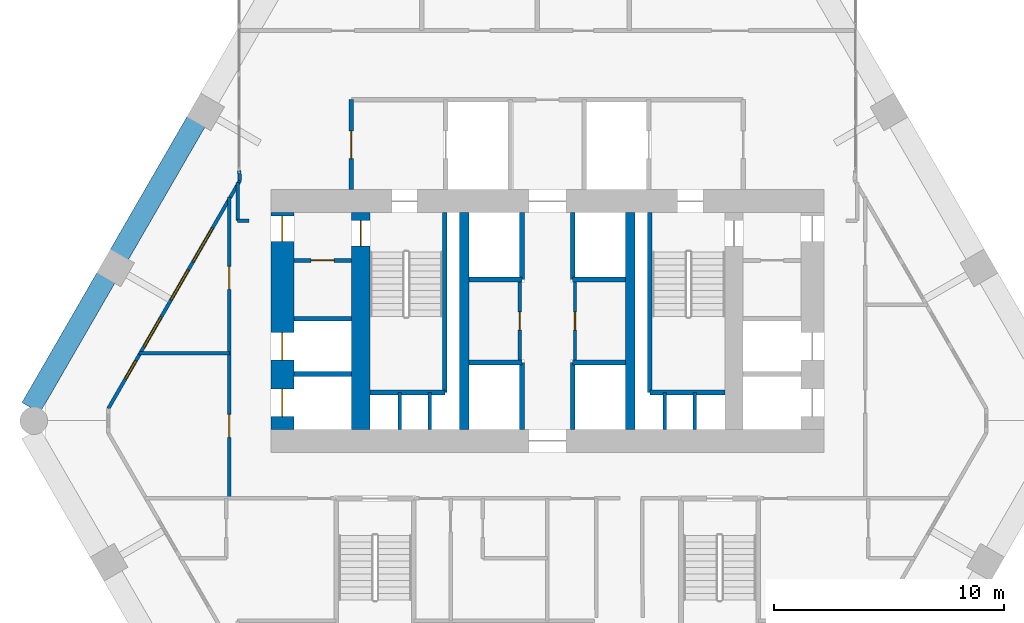
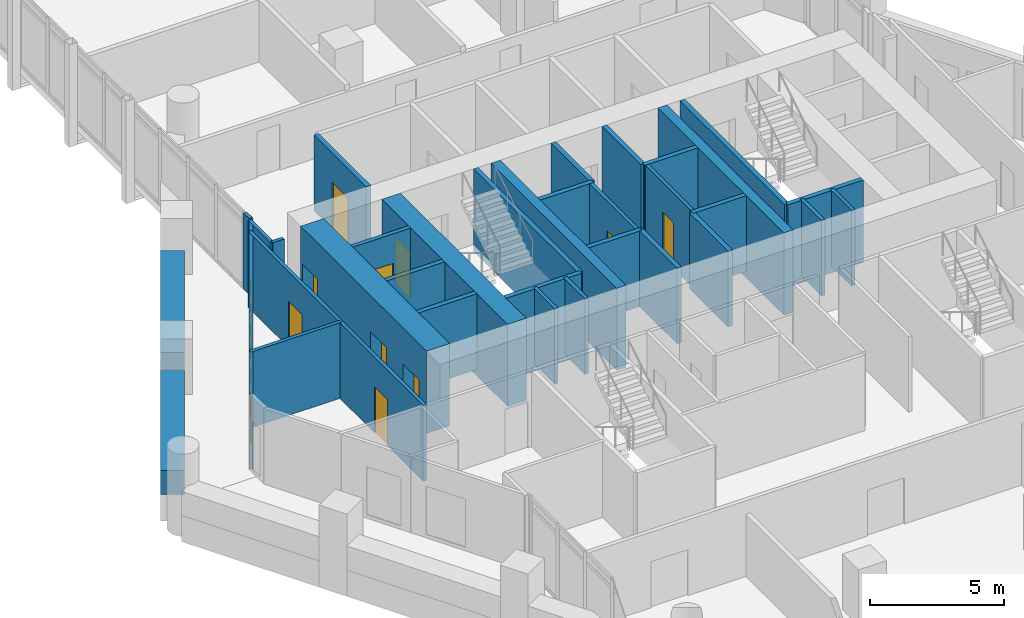
# One storey, part 25 of 28: 34 walls, 10 doors, 4 windows, 14 openings.
"""IFC4 building model written with IfcOpenShell, lengths in metres."""

from ifc_helpers import new_model, si_unit, direction, frame, frame_2d, origin, place, context, subcontext, project, spatial, rectangle, extrude, material, layer, layer_set, type_object, element, fill, save


model = new_model("IFC4")

# Units and contexts
model_context = context("Model", 3, precision=1e-05, world=origin(), true_north=direction((0.0, 1.0)))
body_context = subcontext(model_context, "Body", "Model", "MODEL_VIEW")
ifc_project = project(units=[si_unit("LENGTHUNIT", "METRE"), si_unit("AREAUNIT", "SQUARE_METRE"), si_unit("VOLUMEUNIT", "CUBIC_METRE"), si_unit("PLANEANGLEUNIT", "RADIAN"), si_unit("MASSUNIT", "GRAM", prefix="KILO")], contexts=[model_context])

# Site, building, storey
site_placement = place(None, origin())
site = spatial("IfcSite", under=ifc_project, at=site_placement, CompositionType="ELEMENT")
building_placement = place(site_placement, origin())
building = spatial("IfcBuilding", under=site, at=building_placement, Name="Ostrander Bayou Hotel Tower", CompositionType="ELEMENT")
storey_placement = place(building_placement, frame((0.0, 0.0, 104.25)))
storey = spatial("IfcBuildingStorey", under=building, at=storey_placement, Name="L26", CompositionType="ELEMENT", Elevation=104.25)

# Wall, openings, doors
ifc_material_1 = material(Name="Concrete f'c 70 MPa", Category="concrete")
ifc_layer_1 = layer(ifc_material_1, 1.0)
ifc_layer_set_1 = layer_set([ifc_layer_1], Name="CW4 core wall 1000 mm f'c 70 MPa")
wall_type_1 = type_object("IfcWallType", Name="CW4 core wall 1000 mm f'c 70 MPa", PredefinedType="SHEAR", material=ifc_layer_set_1)
wall_1_placement = place(storey_placement, frame((-11.5, -0.699951171875, -0.300048828125), z_axis=(0.0, 0.0, 1.0), x_axis=(0.0, 1.0, 0.0)))
wall_1 = element("IfcWall", 1, at=wall_1_placement, inside=storey, type_object=wall_type_1, Name="CW4 L26 RW", PredefinedType="SHEAR", context=body_context, shape_type="SweptSolid", body=[
    extrude(rectangle(XDim=9.39990234375, YDim=1.0, at=frame_2d((4.699951171875, 0.0))), origin(), (0.0, 0.0, 1.0), 3.75),
])
opening_1_placement = place(wall_1_placement, frame((8.14990234375, 0.0, 0.0)))
opening_1 = element("IfcOpeningElement", 2, at=opening_1_placement, cuts=wall_1, Name="Opening T25-017", PredefinedType="OPENING", context=body_context, shape_type="SweptSolid", body=[
    extrude(rectangle(XDim=1.10009765625, YDim=2.10009765625, at=frame_2d((0.550048828125, 1.050048828125))), frame((0.0, 0.5, 0.0), z_axis=(0.0, -1.0, 0.0), x_axis=(1.0, 0.0, 0.0)), (0.0, 0.0, 1.0), 1.0),
])
opening_2_placement = place(wall_1_placement, frame((0.550048828125, 0.0, 0.0)))
opening_2 = element("IfcOpeningElement", 3, at=opening_2_placement, cuts=wall_1, Name="Opening T25-018", PredefinedType="OPENING", context=body_context, shape_type="SweptSolid", body=[
    extrude(rectangle(XDim=1.199951171875, YDim=2.10009765625, at=frame_2d((0.60009765625, 1.050048828125))), frame((0.0, 0.5, 0.0), z_axis=(0.0, -1.0, 0.0), x_axis=(1.0, 0.0, 0.0)), (0.0, 0.0, 1.0), 1.0),
])
opening_3_placement = place(wall_1_placement, frame((3.0, 0.0, 0.0)))
opening_3 = element("IfcOpeningElement", 4, at=opening_3_placement, cuts=wall_1, Name="Opening T25-019", PredefinedType="OPENING", context=body_context, shape_type="SweptSolid", body=[
    extrude(rectangle(XDim=1.199951171875, YDim=2.10009765625, at=frame_2d((0.60009765625, 1.050048828125))), frame((0.0, 0.5, 0.0), z_axis=(0.0, -1.0, 0.0), x_axis=(1.0, 0.0, 0.0)), (0.0, 0.0, 1.0), 1.0),
])
ifc_material_2 = material(Name="Timber door leaf", Category="wood")
door_type_1 = type_object("IfcDoorType", Name="D5 stair door 1100 x 2100 mm, 90 minute", OperationType="SINGLE_SWING_LEFT", PredefinedType="DOOR", material=ifc_material_2)
door_1_placement = place(opening_1_placement, origin())
door_1 = element("IfcDoor", 5, at=door_1_placement, inside=storey, type_object=door_type_1, Name="dr:L26:017", OperationType="SINGLE_SWING_LEFT", OverallHeight=2.10009765625, OverallWidth=1.10009765625, PredefinedType="DOOR", context=body_context, shape_type="SweptSolid", body=[
    extrude(rectangle(XDim=1.10009765625, YDim=2.10009765625, at=frame_2d((0.550048828125, 1.050048828125))), frame((0.0, 0.02490234375, 0.0), z_axis=(0.0, -1.0, 0.0), x_axis=(1.0, 0.0, 0.0)), (0.0, 0.0, 1.0), 0.050048828125),
])
fill(opening_1, door_1)
ifc_material_3 = material(Name="Stainless steel sliding door", Category="steel")
door_type_2 = type_object("IfcDoorType", Name="LD1 lift landing door 1200 x 2100 mm", OperationType="SINGLE_SWING_LEFT", PredefinedType="DOOR", material=ifc_material_3)
door_2_placement = place(opening_2_placement, origin())
door_2 = element("IfcDoor", 6, at=door_2_placement, inside=storey, type_object=door_type_2, Name="dr:L26:018", OperationType="SLIDING_TO_LEFT", OverallHeight=2.10009765625, OverallWidth=1.199951171875, PredefinedType="DOOR", context=body_context, shape_type="SweptSolid", body=[
    extrude(rectangle(XDim=1.199951171875, YDim=2.10009765625, at=frame_2d((0.60009765625, 1.050048828125))), frame((0.0, 0.02490234375, 0.0), z_axis=(0.0, -1.0, 0.0), x_axis=(1.0, 0.0, 0.0)), (0.0, 0.0, 1.0), 0.050048828125),
])
fill(opening_2, door_2)
door_3_placement = place(opening_3_placement, origin())
door_3 = element("IfcDoor", 7, at=door_3_placement, inside=storey, type_object=door_type_2, Name="dr:L26:019", OperationType="SLIDING_TO_LEFT", OverallHeight=2.10009765625, OverallWidth=1.199951171875, PredefinedType="DOOR", context=body_context, shape_type="SweptSolid", body=[
    extrude(rectangle(XDim=1.199951171875, YDim=2.10009765625, at=frame_2d((0.60009765625, 1.050048828125))), frame((0.0, 0.02490234375, 0.0), z_axis=(0.0, -1.0, 0.0), x_axis=(1.0, 0.0, 0.0)), (0.0, 0.0, 1.0), 0.050048828125),
])
fill(opening_3, door_3)

# Wall, opening, door
ifc_material_4 = material(Name="Concrete f'c 70 MPa", Category="concrete")
ifc_layer_2 = layer(ifc_material_4, 0.800048828125)
ifc_layer_set_2 = layer_set([ifc_layer_2], Name="CW5 core spine wall 800 mm f'c 70 MPa")
wall_type_2 = type_object("IfcWallType", Name="CW5 core spine wall 800 mm f'c 70 MPa", PredefinedType="SHEAR", material=ifc_layer_set_2)
wall_2_placement = place(storey_placement, frame((-8.10009765625, -0.699951171875, -0.300048828125), z_axis=(0.0, 0.0, 1.0), x_axis=(0.0, 1.0, 0.0)))
wall_2 = element("IfcWall", 8, at=wall_2_placement, inside=storey, type_object=wall_type_2, Name="CW5 L26 W", PredefinedType="SHEAR", context=body_context, shape_type="SweptSolid", body=[
    extrude(rectangle(XDim=9.39990234375, YDim=0.800048828125, at=frame_2d((4.699951171875, 0.0))), origin(), (0.0, 0.0, 1.0), 3.75),
])
opening_4_placement = place(wall_2_placement, frame((7.949951171875, 0.0, 0.0)))
opening_4 = element("IfcOpeningElement", 9, at=opening_4_placement, cuts=wall_2, Name="Opening T25-004", PredefinedType="OPENING", context=body_context, shape_type="SweptSolid", body=[
    extrude(rectangle(XDim=1.10009765625, YDim=2.10009765625, at=frame_2d((0.550048828125, 1.050048828125))), frame((0.0, 0.39990234375, 0.0), z_axis=(0.0, -1.0, 0.0), x_axis=(1.0, 0.0, 0.0)), (0.0, 0.0, 1.0), 0.800048828125),
])
door_4_placement = place(opening_4_placement, origin())
door_4 = element("IfcDoor", 10, at=door_4_placement, inside=storey, type_object=door_type_1, Name="dr:L26:004", OperationType="SINGLE_SWING_RIGHT", OverallHeight=2.10009765625, OverallWidth=1.10009765625, PredefinedType="DOOR", context=body_context, shape_type="SweptSolid", body=[
    extrude(rectangle(XDim=1.10009765625, YDim=2.10009765625, at=frame_2d((0.550048828125, 1.050048828125))), frame((0.0, 0.02490234375, 0.0), z_axis=(0.0, -1.0, 0.0), x_axis=(1.0, 0.0, 0.0)), (0.0, 0.0, 1.0), 0.050048828125),
])
fill(opening_4, door_4)

# Walls
ifc_material_5 = material(Name="Concrete f'c 70 MPa", Category="concrete")
ifc_layer_3 = layer(ifc_material_5, 0.39990234375)
ifc_layer_set_3 = layer_set([ifc_layer_3], Name="CW6 core bank wall 400 mm f'c 70 MPa")
wall_type_3 = type_object("IfcWallType", Name="CW6 core bank wall 400 mm f'c 70 MPa", PredefinedType="SHEAR", material=ifc_layer_set_3)
for number, where, z_axis, x_axis, name in (
    (11, (-3.60009765625, -0.699951171875, -0.300048828125), (0.0, 0.0, 1.0), (0.0, 1.0, 0.0), "CW6 L26 CW"),
    (12, (3.60009765625, -0.699951171875, -0.300048828125), (0.0, 0.0, 1.0), (0.0, 1.0, 0.0), "CW6 L26 CE"),
):
    element("IfcWall", number, at=place(storey_placement, frame(where, z_axis=z_axis, x_axis=x_axis)), inside=storey, type_object=wall_type_3, Name=name, PredefinedType="SHEAR", context=body_context, shape_type="SweptSolid", body=[
        extrude(rectangle(XDim=9.39990234375, YDim=0.39990234375, at=frame_2d((4.699951171875, 0.0))), origin(), (0.0, 0.0, 1.0), 3.75),
    ])

# Wall, openings, windows
ifc_material_6 = material(Name="Aluminium framed insulated wall", Category="aluminium")
ifc_layer_4 = layer(ifc_material_6, 0.14990234375)
ifc_layer_set_4 = layer_set([ifc_layer_4], Name="GW1 glass-line wall 150 mm")
wall_type_4 = type_object("IfcWallType", Name="GW1 glass-line wall 150 mm", PredefinedType="SOLIDWALL", material=ifc_layer_set_4)
wall_3_placement = place(storey_placement, frame((-13.333984375, 10.100341796875, 0.0), z_axis=(0.0, 0.0, 1.0), x_axis=(-0.499990645009, -0.866030804823, 0.0)))
wall_3 = element("IfcWall", 13, at=wall_3_placement, inside=storey, type_object=wall_type_4, Name="GW1 L26 NW 1", PredefinedType="SOLIDWALL", context=body_context, shape_type="SweptSolid", body=[
    extrude(rectangle(XDim=11.426025390625, YDim=0.14990234375, at=frame_2d((5.712890625, 0.0))), origin(), (0.0, 0.0, 1.0), 3.449951171875),
])
opening_5_placement = place(wall_3_placement, frame((2.380126953125, 0.0, 0.14990234375)))
opening_5 = element("IfcOpeningElement", 14, at=opening_5_placement, cuts=wall_3, Name="Opening W8", PredefinedType="OPENING", context=body_context, shape_type="SweptSolid", body=[
    extrude(rectangle(XDim=1.699951171875, YDim=2.199951171875, at=frame_2d((0.85009765625, 1.10009765625))), frame((0.0, 0.074951171875, 0.0), z_axis=(0.0, -1.0, 0.0), x_axis=(1.0, 0.0, 0.0)), (0.0, 0.0, 1.0), 0.14990234375),
])
opening_6_placement = place(wall_3_placement, frame((4.480224609375, 0.0, 0.14990234375)))
opening_6 = element("IfcOpeningElement", 15, at=opening_6_placement, cuts=wall_3, Name="Opening W12", PredefinedType="OPENING", context=body_context, shape_type="SweptSolid", body=[
    extrude(rectangle(XDim=1.5, YDim=2.199951171875, at=frame_2d((0.75, 1.10009765625))), frame((0.0, 0.074951171875, 0.0), z_axis=(0.0, -1.0, 0.0), x_axis=(1.0, 0.0, 0.0)), (0.0, 0.0, 1.0), 0.14990234375),
])
opening_7_placement = place(wall_3_placement, frame((9.03662109375, 0.0, 0.14990234375)))
opening_7 = element("IfcOpeningElement", 16, at=opening_7_placement, cuts=wall_3, Name="Opening W16", PredefinedType="OPENING", context=body_context, shape_type="SweptSolid", body=[
    extrude(rectangle(XDim=0.89990234375, YDim=2.199951171875, at=frame_2d((0.449951171875, 1.10009765625))), frame((0.0, 0.074951171875, 0.0), z_axis=(0.0, -1.0, 0.0), x_axis=(1.0, 0.0, 0.0)), (0.0, 0.0, 1.0), 0.14990234375),
])
opening_8_placement = place(wall_3_placement, frame((6.83642578125, 0.0, 0.14990234375)))
opening_8 = element("IfcOpeningElement", 17, at=opening_8_placement, cuts=wall_3, Name="Opening W12", PredefinedType="OPENING", context=body_context, shape_type="SweptSolid", body=[
    extrude(rectangle(XDim=1.5, YDim=2.199951171875, at=frame_2d((0.75, 1.10009765625))), frame((0.0, 0.074951171875, 0.0), z_axis=(0.0, -1.0, 0.0), x_axis=(1.0, 0.0, 0.0)), (0.0, 0.0, 1.0), 0.14990234375),
])
ifc_material_7 = material(Name="Aluminium and clear glass", Category="aluminium")
window_type_1 = type_object("IfcWindowType", Name="W12 fixed window 1500 mm, bath bay, zone 2", PartitioningType="SINGLE_PANEL", PredefinedType="WINDOW", material=ifc_material_7)
window_1_placement = place(opening_6_placement, origin())
window_1 = element("IfcWindow", 18, at=window_1_placement, inside=storey, type_object=window_type_1, Name="W12 L26 NW 3", OverallHeight=2.199951171875, OverallWidth=1.5, PartitioningType="SINGLE_PANEL", PredefinedType="WINDOW", context=body_context, shape_type="SweptSolid", body=[
    extrude(rectangle(XDim=1.5, YDim=2.199951171875, at=frame_2d((0.75, 1.10009765625))), frame((0.0, 0.030029296875, 0.0), z_axis=(0.0, -1.0, 0.0), x_axis=(1.0, 0.0, 0.0)), (0.0, 0.0, 1.0), 0.06005859375),
])
fill(opening_6, window_1)
window_2_placement = place(opening_8_placement, origin())
window_2 = element("IfcWindow", 19, at=window_2_placement, inside=storey, type_object=window_type_1, Name="W12 L26 NW 4", OverallHeight=2.199951171875, OverallWidth=1.5, PartitioningType="SINGLE_PANEL", PredefinedType="WINDOW", context=body_context, shape_type="SweptSolid", body=[
    extrude(rectangle(XDim=1.5, YDim=2.199951171875, at=frame_2d((0.75, 1.10009765625))), frame((0.0, 0.030029296875, 0.0), z_axis=(0.0, -1.0, 0.0), x_axis=(1.0, 0.0, 0.0)), (0.0, 0.0, 1.0), 0.06005859375),
])
fill(opening_8, window_2)
ifc_material_8 = material(Name="Aluminium and clear glass", Category="aluminium")
window_type_2 = type_object("IfcWindowType", Name="W16 window 900 mm, zone 2", PartitioningType="SINGLE_PANEL", PredefinedType="WINDOW", material=ifc_material_8)
window_3_placement = place(opening_7_placement, origin())
window_3 = element("IfcWindow", 20, at=window_3_placement, inside=storey, type_object=window_type_2, Name="W16 L26 NW 4", OverallHeight=2.199951171875, OverallWidth=0.89990234375, PartitioningType="SINGLE_PANEL", PredefinedType="WINDOW", context=body_context, shape_type="SweptSolid", body=[
    extrude(rectangle(XDim=0.89990234375, YDim=2.199951171875, at=frame_2d((0.449951171875, 1.10009765625))), frame((0.0, 0.030029296875, 0.0), z_axis=(0.0, -1.0, 0.0), x_axis=(1.0, 0.0, 0.0)), (0.0, 0.0, 1.0), 0.06005859375),
])
fill(opening_7, window_3)
ifc_material_9 = material(Name="Aluminium and clear glass", Category="aluminium")
window_type_3 = type_object("IfcWindowType", Name="W8 fixed window 1700 mm, bar storeys, zone 2", PartitioningType="SINGLE_PANEL", PredefinedType="WINDOW", material=ifc_material_9)
window_4_placement = place(opening_5_placement, origin())
window_4 = element("IfcWindow", 21, at=window_4_placement, inside=storey, type_object=window_type_3, Name="W8 L26 NW 3", OverallHeight=2.199951171875, OverallWidth=1.699951171875, PartitioningType="SINGLE_PANEL", PredefinedType="WINDOW", context=body_context, shape_type="SweptSolid", body=[
    extrude(rectangle(XDim=1.699951171875, YDim=2.199951171875, at=frame_2d((0.85009765625, 1.10009765625))), frame((0.0, 0.030029296875, 0.0), z_axis=(0.0, -1.0, 0.0), x_axis=(1.0, 0.0, 0.0)), (0.0, 0.0, 1.0), 0.06005859375),
])
fill(opening_5, window_4)

# Walls
wall_4_placement = place(storey_placement, frame((-13.333984375, 10.100341796875, 0.0), z_axis=(0.0, 0.0, 1.0), x_axis=(-0.078869316502, 0.996884963732, 0.0)))
element("IfcWall", 22, at=wall_4_placement, inside=storey, type_object=wall_type_4, Name="GW1 L26 bar joint 1", PredefinedType="SOLIDWALL", context=body_context, shape_type="SweptSolid", body=[
    extrude(rectangle(XDim=0.4208984375, YDim=0.14990234375, at=frame_2d((0.21044921875, 0.0))), origin(), (0.0, 0.0, 1.0), 3.449951171875),
])
ifc_material_10 = material(Name="Concrete f'c 40 MPa", Category="concrete")
ifc_layer_5 = layer(ifc_material_10, 0.89990234375)
ifc_layer_set_5 = layer_set([ifc_layer_5], Name="PA1 stone-faced parapet 900 mm")
wall_type_5 = type_object("IfcWallType", Name="PA1 stone-faced parapet 900 mm", PredefinedType="PARAPET", material=ifc_layer_set_5)
wall_5_placement = place(storey_placement, frame((-15.23876953125, 12.65087890625, 0.0), z_axis=(0.0, 0.0, 1.0), x_axis=(-0.499999023957, -0.866025967302, 0.0)))
element("IfcWall", 23, at=wall_5_placement, inside=storey, type_object=wall_type_5, Name="PA1 L26 NW-2", PredefinedType="PARAPET", context=body_context, shape_type="SweptSolid", body=[
    extrude(rectangle(XDim=6.67333984375, YDim=0.89990234375, at=frame_2d((3.336669921875, 0.0))), origin(), (0.0, 0.0, 1.0), 1.10009765625),
])
wall_6_placement = place(storey_placement, frame((-19.1455078125, 5.884521484375, 0.0), z_axis=(0.0, 0.0, 1.0), x_axis=(-0.500000042739, -0.866025379109, 0.0)))
element("IfcWall", 24, at=wall_6_placement, inside=storey, type_object=wall_type_5, Name="PA1 L26 NW-3", PredefinedType="PARAPET", context=body_context, shape_type="SweptSolid", body=[
    extrude(rectangle(XDim=6.52197265625, YDim=0.89990234375, at=frame_2d((3.260986328125, 0.0))), origin(), (0.0, 0.0, 1.0), 1.10009765625),
])

# Wall, opening, door
ifc_material_11 = material(Name="Gypsum board partition", Category="finish")
ifc_layer_6 = layer(ifc_material_11, 0.175048828125)
ifc_layer_set_6 = layer_set([ifc_layer_6], Name="PT4 corridor wall 175 mm, 1 hour")
wall_type_6 = type_object("IfcWallType", Name="PT4 corridor wall 175 mm, 1 hour", PredefinedType="PARTITIONING", material=ifc_layer_set_6)
wall_7_placement = place(storey_placement, frame((-11.0, 6.6298828125, 0.0), z_axis=(0.0, 0.0, 1.0), x_axis=(1.0, 0.0, 0.0)))
wall_7 = element("IfcWall", 25, at=wall_7_placement, inside=storey, type_object=wall_type_6, Name="cs:L26:036", PredefinedType="PARTITIONING", context=body_context, shape_type="SweptSolid", body=[
    extrude(rectangle(XDim=2.5, YDim=0.175048828125, at=frame_2d((1.25, 0.0))), origin(), (0.0, 0.0, 1.0), 3.449951171875),
])
opening_9_placement = place(wall_7_placement, frame((0.75, 0.0, 0.0)))
opening_9 = element("IfcOpeningElement", 26, at=opening_9_placement, cuts=wall_7, Name="Opening T25-016", PredefinedType="OPENING", context=body_context, shape_type="SweptSolid", body=[
    extrude(rectangle(XDim=1.0, YDim=2.10009765625, at=frame_2d((0.5, 1.050048828125))), frame((0.0, 0.08740234375, 0.0), z_axis=(0.0, -1.0, 0.0), x_axis=(1.0, 0.0, 0.0)), (0.0, 0.0, 1.0), 0.175048828125),
])
ifc_material_12 = material(Name="Timber door leaf", Category="wood")
door_type_3 = type_object("IfcDoorType", Name="D4 corridor door 1000 x 2100 mm, 1 hour", OperationType="SINGLE_SWING_LEFT", PredefinedType="DOOR", material=ifc_material_12)
door_5_placement = place(opening_9_placement, origin())
door_5 = element("IfcDoor", 27, at=door_5_placement, inside=storey, type_object=door_type_3, Name="dr:L26:016", OperationType="SINGLE_SWING_LEFT", OverallHeight=2.10009765625, OverallWidth=1.0, PredefinedType="DOOR", context=body_context, shape_type="SweptSolid", body=[
    extrude(rectangle(XDim=1.0, YDim=2.10009765625, at=frame_2d((0.5, 1.050048828125))), frame((0.0, 0.02490234375, 0.0), z_axis=(0.0, -1.0, 0.0), x_axis=(1.0, 0.0, 0.0)), (0.0, 0.0, 1.0), 0.050048828125),
])
fill(opening_9, door_5)

ifc_material_13 = material(Name="Masonry block", Category="masonry")
ifc_layer_7 = layer(ifc_material_13, 0.199951171875)
ifc_layer_set_7 = layer_set([ifc_layer_7], Name="PT5 stair enclosure wall 200 mm masonry, 2 hour")
wall_type_7 = type_object("IfcWallType", Name="PT5 stair enclosure wall 200 mm masonry, 2 hour", PredefinedType="PARTITIONING", material=ifc_layer_set_7)
wall_8_placement = place(storey_placement, frame((-8.5, 9.699951171875, 0.0), z_axis=(0.0, 0.0, 1.0), x_axis=(0.0, 1.0, 0.0)))
wall_8 = element("IfcWall", 28, at=wall_8_placement, inside=storey, type_object=wall_type_7, Name="cs:L26:026", PredefinedType="PARTITIONING", context=body_context, shape_type="SweptSolid", body=[
    extrude(rectangle(XDim=3.900146484375, YDim=0.199951171875, at=frame_2d((1.9501953125, 0.0))), origin(), (0.0, 0.0, 1.0), 3.449951171875),
])
opening_10_placement = place(wall_8_placement, frame((1.35009765625, 0.0, 0.0)))
opening_10 = element("IfcOpeningElement", 29, at=opening_10_placement, cuts=wall_8, Name="Opening T25-010", PredefinedType="OPENING", context=body_context, shape_type="SweptSolid", body=[
    extrude(rectangle(XDim=1.199951171875, YDim=2.10009765625, at=frame_2d((0.60009765625, 1.050048828125))), frame((0.0, 0.10009765625, 0.0), z_axis=(0.0, -1.0, 0.0), x_axis=(1.0, 0.0, 0.0)), (0.0, 0.0, 1.0), 0.199951171875),
])
ifc_material_14 = material(Name="Timber door leaf", Category="wood")
door_type_4 = type_object("IfcDoorType", Name="D7 lobby door 1200 x 2100 mm, 1 hour", OperationType="SINGLE_SWING_LEFT", PredefinedType="DOOR", material=ifc_material_14)
door_6_placement = place(opening_10_placement, origin())
door_6 = element("IfcDoor", 30, at=door_6_placement, inside=storey, type_object=door_type_4, Name="dr:L26:010", OperationType="SINGLE_SWING_LEFT", OverallHeight=2.10009765625, OverallWidth=1.199951171875, PredefinedType="DOOR", context=body_context, shape_type="SweptSolid", body=[
    extrude(rectangle(XDim=1.199951171875, YDim=2.10009765625, at=frame_2d((0.60009765625, 1.050048828125))), frame((0.0, 0.02490234375, 0.0), z_axis=(0.0, -1.0, 0.0), x_axis=(1.0, 0.0, 0.0)), (0.0, 0.0, 1.0), 0.050048828125),
])
fill(opening_10, door_6)

# Walls
ifc_material_15 = material(Name="Masonry block", Category="masonry")
ifc_layer_8 = layer(ifc_material_15, 0.199951171875)
ifc_layer_set_8 = layer_set([ifc_layer_8], Name="PT6 lift shaft wall 200 mm masonry, 2 hour")
wall_type_8 = type_object("IfcWallType", Name="PT6 lift shaft wall 200 mm masonry, 2 hour", PredefinedType="PARTITIONING", material=ifc_layer_set_8)
for number, where, z_axis, x_axis, name in (
    (31, (-3.39990234375, 2.199951171875, 0.0), (0.0, 0.0, 1.0), (1.0, 0.0, 0.0), "cs:L26:001"),
    (32, (-3.39990234375, 5.800048828125, 0.0), (0.0, 0.0, 1.0), (1.0, 0.0, 0.0), "cs:L26:002"),
    (33, (1.10009765625, 2.199951171875, 0.0), (0.0, 0.0, 1.0), (1.0, 0.0, 0.0), "cs:L26:003"),
    (34, (1.10009765625, 5.800048828125, 0.0), (0.0, 0.0, 1.0), (1.0, 0.0, 0.0), "cs:L26:004"),
):
    element("IfcWall", number, at=place(storey_placement, frame(where, z_axis=z_axis, x_axis=x_axis)), inside=storey, type_object=wall_type_8, Name=name, PredefinedType="PARTITIONING", context=body_context, shape_type="SweptSolid", body=[
        extrude(rectangle(XDim=2.2998046875, YDim=0.199951171875, at=frame_2d((1.14990234375, 0.0))), origin(), (0.0, 0.0, 1.0), 3.449951171875),
    ])
for number, where, z_axis, x_axis, name in (
    (35, (-1.10009765625, -0.699951171875, 0.0), (0.0, 0.0, 1.0), (0.0, 1.0, 0.0), "cs:L26:005"),
    (36, (1.10009765625, -0.699951171875, 0.0), (0.0, 0.0, 1.0), (0.0, 1.0, 0.0), "cs:L26:006"),
    (37, (-1.10009765625, 5.800048828125, 0.0), (0.0, 0.0, 1.0), (0.0, 1.0, 0.0), "cs:L26:007"),
    (38, (1.10009765625, 5.800048828125, 0.0), (0.0, 0.0, 1.0), (0.0, 1.0, 0.0), "cs:L26:008"),
):
    element("IfcWall", number, at=place(storey_placement, frame(where, z_axis=z_axis, x_axis=x_axis)), inside=storey, type_object=wall_type_8, Name=name, PredefinedType="PARTITIONING", context=body_context, shape_type="SweptSolid", body=[
        extrude(rectangle(XDim=2.89990234375, YDim=0.199951171875, at=frame_2d((1.449951171875, 0.0))), origin(), (0.0, 0.0, 1.0), 3.449951171875),
    ])
for number, where, z_axis, x_axis, name in (
    (39, (-11.0, 1.699951171875, 0.0), (0.0, 0.0, 1.0), (1.0, 0.0, 0.0), "cs:L26:034"),
    (40, (-11.0, 4.10009765625, 0.0), (0.0, 0.0, 1.0), (1.0, 0.0, 0.0), "cs:L26:035"),
):
    element("IfcWall", number, at=place(storey_placement, frame(where, z_axis=z_axis, x_axis=x_axis)), inside=storey, type_object=wall_type_8, Name=name, PredefinedType="PARTITIONING", context=body_context, shape_type="SweptSolid", body=[
        extrude(rectangle(XDim=2.5, YDim=0.199951171875, at=frame_2d((1.25, 0.0))), origin(), (0.0, 0.0, 1.0), 3.449951171875),
    ])
ifc_material_16 = material(Name="Gypsum board partition", Category="finish")
ifc_layer_9 = layer(ifc_material_16, 0.14990234375)
ifc_layer_set_9 = layer_set([ifc_layer_9], Name="PT7 riser wall 150 mm, 2 hour")
wall_type_9 = type_object("IfcWallType", Name="PT7 riser wall 150 mm, 2 hour", PredefinedType="PARTITIONING", material=ifc_layer_set_9)
for number, where, z_axis, x_axis, name in (
    (41, (-6.39990234375, -0.699951171875, 0.0), (0.0, 0.0, 1.0), (0.0, 1.0, 0.0), "cs:L26:011"),
    (42, (-5.10009765625, -0.699951171875, 0.0), (0.0, 0.0, 1.0), (0.0, 1.0, 0.0), "cs:L26:012"),
    (43, (5.10009765625, -0.699951171875, 0.0), (0.0, 0.0, 1.0), (0.0, 1.0, 0.0), "cs:L26:015"),
    (44, (6.39990234375, -0.699951171875, 0.0), (0.0, 0.0, 1.0), (0.0, 1.0, 0.0), "cs:L26:016"),
):
    element("IfcWall", number, at=place(storey_placement, frame(where, z_axis=z_axis, x_axis=x_axis)), inside=storey, type_object=wall_type_9, Name=name, PredefinedType="PARTITIONING", context=body_context, shape_type="SweptSolid", body=[
        extrude(rectangle(XDim=1.599853515625, YDim=0.14990234375, at=frame_2d((0.7998046875, 0.0))), origin(), (0.0, 0.0, 1.0), 3.449951171875),
    ])

# Wall, opening, door
wall_9_placement = place(storey_placement, frame((-1.199951171875, 2.300048828125, 0.0), z_axis=(0.0, 0.0, 1.0), x_axis=(0.0, 1.0, 0.0)))
wall_9 = element("IfcWall", 45, at=wall_9_placement, inside=storey, type_object=wall_type_9, Name="cs:L26:032", PredefinedType="PARTITIONING", context=body_context, shape_type="SweptSolid", body=[
    extrude(rectangle(XDim=3.39990234375, YDim=0.14990234375, at=frame_2d((1.699951171875, 0.0))), origin(), (0.0, 0.0, 1.0), 3.449951171875),
])
opening_11_placement = place(wall_9_placement, frame((1.300048828125, 0.0, 0.0)))
opening_11 = element("IfcOpeningElement", 46, at=opening_11_placement, cuts=wall_9, Name="Opening T25-014", PredefinedType="OPENING", context=body_context, shape_type="SweptSolid", body=[
    extrude(rectangle(XDim=0.800048828125, YDim=2.10009765625, at=frame_2d((0.39990234375, 1.050048828125))), frame((0.0, 0.074951171875, 0.0), z_axis=(0.0, -1.0, 0.0), x_axis=(1.0, 0.0, 0.0)), (0.0, 0.0, 1.0), 0.14990234375),
])
ifc_material_17 = material(Name="Timber door leaf", Category="wood")
door_type_5 = type_object("IfcDoorType", Name="D6 riser door 800 x 2100 mm, 90 minute", OperationType="SINGLE_SWING_LEFT", PredefinedType="DOOR", material=ifc_material_17)
door_7_placement = place(opening_11_placement, origin())
door_7 = element("IfcDoor", 47, at=door_7_placement, inside=storey, type_object=door_type_5, Name="dr:L26:014", OperationType="SINGLE_SWING_LEFT", OverallHeight=2.10009765625, OverallWidth=0.800048828125, PredefinedType="DOOR", context=body_context, shape_type="SweptSolid", body=[
    extrude(rectangle(XDim=0.800048828125, YDim=2.10009765625, at=frame_2d((0.39990234375, 1.050048828125))), frame((0.0, 0.02490234375, 0.0), z_axis=(0.0, -1.0, 0.0), x_axis=(1.0, 0.0, 0.0)), (0.0, 0.0, 1.0), 0.050048828125),
])
fill(opening_11, door_7)

wall_10_placement = place(storey_placement, frame((1.199951171875, 2.300048828125, 0.0), z_axis=(0.0, 0.0, 1.0), x_axis=(0.0, 1.0, 0.0)))
wall_10 = element("IfcWall", 48, at=wall_10_placement, inside=storey, type_object=wall_type_9, Name="cs:L26:033", PredefinedType="PARTITIONING", context=body_context, shape_type="SweptSolid", body=[
    extrude(rectangle(XDim=3.39990234375, YDim=0.14990234375, at=frame_2d((1.699951171875, 0.0))), origin(), (0.0, 0.0, 1.0), 3.449951171875),
])
opening_12_placement = place(wall_10_placement, frame((1.300048828125, 0.0, 0.0)))
opening_12 = element("IfcOpeningElement", 49, at=opening_12_placement, cuts=wall_10, Name="Opening T25-015", PredefinedType="OPENING", context=body_context, shape_type="SweptSolid", body=[
    extrude(rectangle(XDim=0.800048828125, YDim=2.10009765625, at=frame_2d((0.39990234375, 1.050048828125))), frame((0.0, 0.074951171875, 0.0), z_axis=(0.0, -1.0, 0.0), x_axis=(1.0, 0.0, 0.0)), (0.0, 0.0, 1.0), 0.14990234375),
])
door_8_placement = place(opening_12_placement, origin())
door_8 = element("IfcDoor", 50, at=door_8_placement, inside=storey, type_object=door_type_5, Name="dr:L26:015", OperationType="SINGLE_SWING_RIGHT", OverallHeight=2.10009765625, OverallWidth=0.800048828125, PredefinedType="DOOR", context=body_context, shape_type="SweptSolid", body=[
    extrude(rectangle(XDim=0.800048828125, YDim=2.10009765625, at=frame_2d((0.39990234375, 1.050048828125))), frame((0.0, 0.02490234375, 0.0), z_axis=(0.0, -1.0, 0.0), x_axis=(1.0, 0.0, 0.0)), (0.0, 0.0, 1.0), 0.050048828125),
])
fill(opening_12, door_8)

# Walls
ifc_material_18 = material(Name="Gypsum board partition", Category="finish")
ifc_layer_10 = layer(ifc_material_18, 0.14990234375)
ifc_layer_set_10 = layer_set([ifc_layer_10], Name="PT8 service band wall 150 mm, 1 hour")
wall_type_10 = type_object("IfcWallType", Name="PT8 service band wall 150 mm, 1 hour", PredefinedType="PARTITIONING", material=ifc_layer_set_10)
wall_11_placement = place(storey_placement, frame((-17.716064453125, 2.60009765625, 0.0), z_axis=(0.0, 0.0, 1.0), x_axis=(1.0, 0.0, 0.0)))
element("IfcWall", 51, at=wall_11_placement, inside=storey, type_object=wall_type_10, Name="gw:L26:011", PredefinedType="PARTITIONING", context=body_context, shape_type="SweptSolid", body=[
    extrude(rectangle(XDim=3.916015625, YDim=0.14990234375, at=frame_2d((1.9580078125, 0.0))), origin(), (0.0, 0.0, 1.0), 3.449951171875),
])
wall_12_placement = place(storey_placement, frame((-13.43994140625, 8.35498046875, 0.0), z_axis=(0.0, 0.0, 1.0), x_axis=(1.0, 0.0, 0.0)))
element("IfcWall", 52, at=wall_12_placement, inside=storey, type_object=wall_type_10, Name="gw:L26:013", PredefinedType="PARTITIONING", context=body_context, shape_type="SweptSolid", body=[
    extrude(rectangle(XDim=0.489990234375, YDim=0.14990234375, at=frame_2d((0.2451171875, 0.0))), origin(), (0.0, 0.0, 1.0), 3.449951171875),
])
wall_13_placement = place(storey_placement, frame((-13.43994140625, 8.35498046875, 0.0), z_axis=(0.0, 0.0, 1.0), x_axis=(0.0, 1.0, 0.0)))
element("IfcWall", 53, at=wall_13_placement, inside=storey, type_object=wall_type_10, Name="gw:L26:023", PredefinedType="PARTITIONING", context=body_context, shape_type="SweptSolid", body=[
    extrude(rectangle(XDim=1.652099609375, YDim=0.14990234375, at=frame_2d((0.826171875, 0.0))), origin(), (0.0, 0.0, 1.0), 3.449951171875),
])

# Wall, openings, doors
wall_14_placement = place(storey_placement, frame((-13.800048828125, -3.699951171875, 0.0), z_axis=(0.0, 0.0, 1.0), x_axis=(0.0, 1.0, 0.0)))
wall_14 = element("IfcWall", 54, at=wall_14_placement, inside=storey, type_object=wall_type_10, Name="gw:L26:024", PredefinedType="PARTITIONING", context=body_context, shape_type="SweptSolid", body=[
    extrude(rectangle(XDim=13.0830078125, YDim=0.14990234375, at=frame_2d((6.54150390625, 0.0))), origin(), (0.0, 0.0, 1.0), 3.449951171875),
])
opening_13_placement = place(wall_14_placement, frame((2.64990234375, 0.0, 0.0)))
opening_13 = element("IfcOpeningElement", 55, at=opening_13_placement, cuts=wall_14, Name="Opening T25-408", PredefinedType="OPENING", context=body_context, shape_type="SweptSolid", body=[
    extrude(rectangle(XDim=1.0, YDim=2.10009765625, at=frame_2d((0.5, 1.050048828125))), frame((0.0, 0.074951171875, 0.0), z_axis=(0.0, -1.0, 0.0), x_axis=(1.0, 0.0, 0.0)), (0.0, 0.0, 1.0), 0.14990234375),
])
opening_14_placement = place(wall_14_placement, frame((9.070068359375, 0.0, 0.0)))
opening_14 = element("IfcOpeningElement", 56, at=opening_14_placement, cuts=wall_14, Name="Opening T25-409", PredefinedType="OPENING", context=body_context, shape_type="SweptSolid", body=[
    extrude(rectangle(XDim=1.0, YDim=2.10009765625, at=frame_2d((0.5, 1.050048828125))), frame((0.0, 0.074951171875, 0.0), z_axis=(0.0, -1.0, 0.0), x_axis=(1.0, 0.0, 0.0)), (0.0, 0.0, 1.0), 0.14990234375),
])
ifc_material_19 = material(Name="Timber door leaf", Category="wood")
door_type_6 = type_object("IfcDoorType", Name="D15 room door 1000 x 2100 mm", OperationType="SINGLE_SWING_LEFT", PredefinedType="DOOR", material=ifc_material_19)
door_9_placement = place(opening_13_placement, origin())
door_9 = element("IfcDoor", 57, at=door_9_placement, inside=storey, type_object=door_type_6, Name="dr:L26:408", OperationType="SINGLE_SWING_RIGHT", OverallHeight=2.10009765625, OverallWidth=1.0, PredefinedType="DOOR", context=body_context, shape_type="SweptSolid", body=[
    extrude(rectangle(XDim=1.0, YDim=2.10009765625, at=frame_2d((0.5, 1.050048828125))), frame((0.0, 0.02490234375, 0.0), z_axis=(0.0, -1.0, 0.0), x_axis=(1.0, 0.0, 0.0)), (0.0, 0.0, 1.0), 0.050048828125),
])
fill(opening_13, door_9)
ifc_material_20 = material(Name="Timber door leaf", Category="wood")
door_type_7 = type_object("IfcDoorType", Name="D9 service door 1000 x 2100 mm, 30 minute", OperationType="SINGLE_SWING_LEFT", PredefinedType="DOOR", material=ifc_material_20)
door_10_placement = place(opening_14_placement, origin())
door_10 = element("IfcDoor", 58, at=door_10_placement, inside=storey, type_object=door_type_7, Name="dr:L26:409", OperationType="SINGLE_SWING_LEFT", OverallHeight=2.10009765625, OverallWidth=1.0, PredefinedType="DOOR", context=body_context, shape_type="SweptSolid", body=[
    extrude(rectangle(XDim=1.0, YDim=2.10009765625, at=frame_2d((0.5, 1.050048828125))), frame((0.0, 0.02490234375, 0.0), z_axis=(0.0, -1.0, 0.0), x_axis=(1.0, 0.0, 0.0)), (0.0, 0.0, 1.0), 0.050048828125),
])
fill(opening_14, door_10)

# Walls
ifc_material_21 = material(Name="Concrete f'c 45 MPa", Category="concrete")
ifc_layer_11 = layer(ifc_material_21, 0.199951171875)
ifc_layer_set_11 = layer_set([ifc_layer_11], Name="SW5 stair enclosure wall 200 mm f'c 45 MPa")
wall_type_11 = type_object("IfcWallType", Name="SW5 stair enclosure wall 200 mm f'c 45 MPa", PredefinedType="SOLIDWALL", material=ifc_layer_set_11)
wall_15_placement = place(storey_placement, frame((-4.449951171875, 0.89990234375, -0.300048828125), z_axis=(0.0, 0.0, 1.0), x_axis=(0.0, 1.0, 0.0)))
element("IfcWall", 59, at=wall_15_placement, inside=storey, type_object=wall_type_11, Name="cs:L26:009", PredefinedType="SOLIDWALL", context=body_context, shape_type="SweptSolid", body=[
    extrude(rectangle(XDim=7.800048828125, YDim=0.199951171875, at=frame_2d((3.89990234375, 0.0))), origin(), (0.0, 0.0, 1.0), 3.75),
])
wall_16_placement = place(storey_placement, frame((-7.699951171875, 0.89990234375, -0.300048828125), z_axis=(0.0, 0.0, 1.0), x_axis=(1.0, 0.0, 0.0)))
element("IfcWall", 60, at=wall_16_placement, inside=storey, type_object=wall_type_11, Name="cs:L26:010", PredefinedType="SOLIDWALL", context=body_context, shape_type="SweptSolid", body=[
    extrude(rectangle(XDim=3.25, YDim=0.199951171875, at=frame_2d((1.625, 0.0))), origin(), (0.0, 0.0, 1.0), 3.75),
])
wall_17_placement = place(storey_placement, frame((4.449951171875, 0.89990234375, -0.300048828125), z_axis=(0.0, 0.0, 1.0), x_axis=(0.0, 1.0, 0.0)))
element("IfcWall", 61, at=wall_17_placement, inside=storey, type_object=wall_type_11, Name="cs:L26:013", PredefinedType="SOLIDWALL", context=body_context, shape_type="SweptSolid", body=[
    extrude(rectangle(XDim=7.800048828125, YDim=0.199951171875, at=frame_2d((3.89990234375, 0.0))), origin(), (0.0, 0.0, 1.0), 3.75),
])
wall_18_placement = place(storey_placement, frame((4.449951171875, 0.89990234375, -0.300048828125), z_axis=(0.0, 0.0, 1.0), x_axis=(1.0, 0.0, 0.0)))
element("IfcWall", 62, at=wall_18_placement, inside=storey, type_object=wall_type_11, Name="cs:L26:014", PredefinedType="SOLIDWALL", context=body_context, shape_type="SweptSolid", body=[
    extrude(rectangle(XDim=3.25, YDim=0.199951171875, at=frame_2d((1.625, 0.0))), origin(), (0.0, 0.0, 1.0), 3.75),
])

save(model, "model.ifc")
